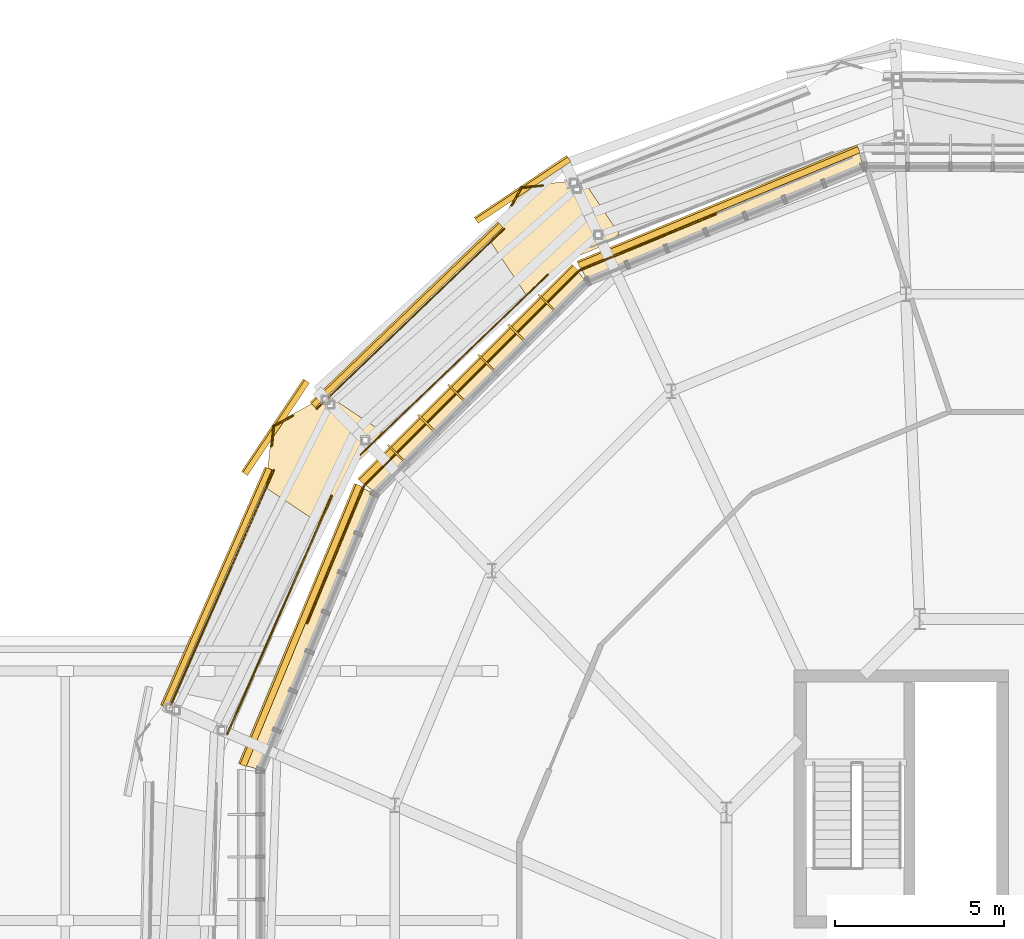
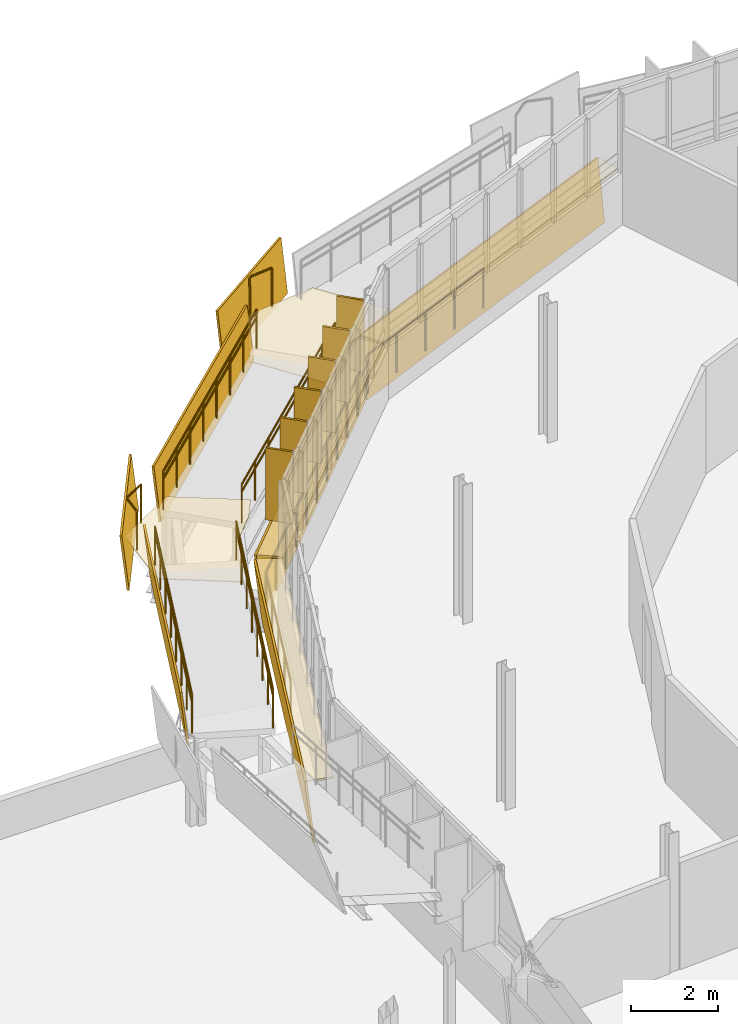
# One storey, part 57 of 61: 21 railings, 12 coverings, 6 shading devices.
"""IFC4 building model written with IfcOpenShell, lengths in metres."""

from ifc_helpers import new_model, si_unit, derived_unit, direction, frame, origin, origin_2d, place, context, subcontext, project, spatial, polyline, rectangle, circle, outline, extrude, material, layer, layer_set, type_object, element, save


model = new_model("IFC4")

# Units and contexts
model_context = context("Model", 3, precision=1e-05, world=origin(), true_north=direction((0.0, 1.0)))
body_context = subcontext(model_context, "Body", "Model", "MODEL_VIEW")
ifc_project = project(units=[si_unit("LENGTHUNIT", "METRE"), si_unit("AREAUNIT", "SQUARE_METRE"), si_unit("VOLUMEUNIT", "CUBIC_METRE"), si_unit("PLANEANGLEUNIT", "RADIAN"), si_unit("MASSUNIT", "GRAM", prefix="KILO"), derived_unit("THERMALTRANSMITTANCEUNIT", [(si_unit("MASSUNIT", "GRAM", prefix="KILO"), 1), (si_unit("TIMEUNIT", "SECOND"), -3), (si_unit("THERMODYNAMICTEMPERATUREUNIT", "KELVIN"), -1)])], contexts=[model_context])

# Site, building, storey
site_placement = place(None, origin())
site = spatial("IfcSite", under=ifc_project, at=site_placement, CompositionType="ELEMENT")
building_placement = place(site_placement, origin())
building = spatial("IfcBuilding", under=site, at=building_placement, Name="Makaiwela Harbour Ferry Terminal", CompositionType="ELEMENT")
storey_placement = place(building_placement, frame((0.0, 0.0, 13.800048828125)))
storey = spatial("IfcBuildingStorey", under=building, at=storey_placement, Name="L03", CompositionType="ELEMENT", Elevation=13.800048828125)

# Coverings
ifc_material_1 = material(Name="White glazed marine ceramic rainscreen tile", Category="masonry")
ifc_layer_1 = layer(ifc_material_1, 0.054931640625)
ifc_layer_set_1 = layer_set([ifc_layer_1], Name="White glazed marine ceramic rainscreen tile")
covering_type_1 = type_object("IfcCoveringType", Name="ENV-CLD-CERAMIC", PredefinedType="CLADDING", material=ifc_layer_set_1)
covering_1_placement = place(storey_placement, frame((31.97802734375, 91.22607421875, -0.219970703125), z_axis=(0.380391585384, -0.918362017885, 0.109148732812), x_axis=(-0.923881838778, -0.382677864496, 5.63655e-07)))
element("IfcCovering", 1, at=covering_1_placement, inside=storey, type_object=covering_type_1, Name="Ceramic Spandrel Facet CLD-0073", PredefinedType="CLADDING", context=body_context, shape_type="SweptSolid", body=[
    extrude(outline(polyline([(0.0, 0.0), (8.991794226151736, -1.1102230246251565e-16), (8.991688901672456, -1.7504433134715667), (0.0001202326102644768, -1.7504535108071002), (0.0, 0.0)])), origin(), (0.0, 0.0, -1.0), 0.054931640625),
])
covering_2_placement = place(storey_placement, frame((0.0, 0.0, 1.47998046875)))
element("IfcCovering", 2, at=covering_2_placement, inside=storey, type_object=covering_type_1, Name="Ceramic Ring Sill Cap CLD-0074", PredefinedType="CLADDING", context=body_context, shape_type="SweptSolid", body=[
    extrude(outline(polyline([(31.90478515625, 91.402587890625), (23.59765625, 87.961669921875), (23.91064453125, 87.408935546875), (32.07421875, 90.790283203125), (31.90478515625, 91.402587890625)])), origin(), (0.0, 0.0, 1.0), 0.054931640625),
])
covering_3_placement = place(storey_placement, frame((23.606201171875, 87.741943359375, -0.219970703125), z_axis=(0.702880103267, -0.702880103267, 0.109174726297), x_axis=(-0.707106781187, -0.707106781187, 0.0)))
element("IfcCovering", 3, at=covering_3_placement, inside=storey, type_object=covering_type_1, Name="Ceramic Spandrel Facet CLD-0075", PredefinedType="CLADDING", context=body_context, shape_type="SweptSolid", body=[
    extrude(outline(polyline([(0.0, 0.0), (8.991788038301396, 0.0), (8.991960671792896, -1.750453438937479), (-0.00017263349150062335, -1.7504534389374793), (0.0, 0.0)])), origin(), (0.0, 0.0, -1.0), 0.054931640625),
])
covering_4_placement = place(storey_placement, frame((0.0, 0.0, 1.47998046875)))
element("IfcCovering", 4, at=covering_4_placement, inside=storey, type_object=covering_type_1, Name="Ceramic Ring Sill Cap CLD-0076", PredefinedType="CLADDING", context=body_context, shape_type="SweptSolid", body=[
    extrude(outline(polyline([(23.47119140625, 87.877197265625), (17.11279296875, 81.518798828125), (17.61376953125, 81.128173828125), (23.86181640625, 87.376220703125), (23.47119140625, 87.877197265625)])), origin(), (0.0, 0.0, 1.0), 0.054931640625),
])
covering_5_placement = place(storey_placement, frame((17.204833984375, 81.3193359375, -0.219970703125), z_axis=(0.918362017885, -0.380391585384, 0.109148732812), x_axis=(-0.382677864496, -0.923881838778, -5.63655e-07)))
element("IfcCovering", 5, at=covering_5_placement, inside=storey, type_object=covering_type_1, Name="Ceramic Spandrel Facet CLD-0077", PredefinedType="CLADDING", context=body_context, shape_type="SweptSolid", body=[
    extrude(outline(polyline([(0.0, 0.0), (8.991794226151736, 1.1102230246251565e-16), (8.99167399354147, -1.7504535108071), (0.00010532447928103433, -1.7504433134715665), (0.0, 0.0)])), origin(), (0.0, 0.0, -1.0), 0.054931640625),
])
covering_6_placement = place(storey_placement, frame((0.0, 0.0, 1.47998046875)))
element("IfcCovering", 6, at=covering_6_placement, inside=storey, type_object=covering_type_1, Name="Ceramic Ring Sill Cap CLD-0078", PredefinedType="CLADDING", context=body_context, shape_type="SweptSolid", body=[
    extrude(outline(polyline([(17.0283203125, 81.392333984375), (13.58740234375, 73.085205078125), (14.19970703125, 72.915771484375), (17.5810546875, 81.079345703125), (17.0283203125, 81.392333984375)])), origin(), (0.0, 0.0, 1.0), 0.054931640625),
])
covering_7_placement = place(storey_placement, frame((23.3955078125, 90.957763671875, 0.9599609375), z_axis=(0.552193027117, -0.826432842635, 0.109961890748), x_axis=(-0.831474863772, -0.55556237355, -3.361495e-06)))
element("IfcCovering", 7, at=covering_7_placement, inside=storey, type_object=covering_type_1, Name="Coiled Ramp Ceramic Fascia CLD-R0053", PredefinedType="CLADDING", context=body_context, shape_type="SweptSolid", body=[
    extrude(outline(polyline([(0.0, 0.0), (3.300102397287792, 2.7755575615628914e-17), (3.300126006690987, -1.52930462753456), (0.00015924474830051368, -1.529282306076568), (0.0, 0.0)])), origin(), (0.0, 0.0, -1.0), 0.054931640625),
])
covering_8_placement = place(storey_placement, frame((21.37939453125, 89.007080078125, 0.9599609375), z_axis=(0.695004337683, -0.71055486006, 0.109912517243), x_axis=(-0.718823305912, -0.69010321769, 0.083967873682)))
element("IfcCovering", 8, at=covering_8_placement, inside=storey, type_object=covering_type_1, Name="Coiled Ramp Ceramic Fascia CLD-R0054", PredefinedType="CLADDING", context=body_context, shape_type="SweptSolid", body=[
    extrude(outline(polyline([(0.0, 0.0), (7.739781780151714, 1.1102230246251565e-16), (7.867389543645176, -1.5239620388324528), (0.1274322695222923, -1.5239580868790643), (0.0, 0.0)])), origin(), (0.0, 0.0, -1.0), 0.054931640625),
])
covering_9_placement = place(storey_placement, frame((15.642578125, 84.392333984375, 1.60986328125), z_axis=(0.826440899438, -0.552198410386, 0.10987427043), x_axis=(-0.555562373057, -0.831474864101, 3.358849e-06)))
element("IfcCovering", 9, at=covering_9_placement, inside=storey, type_object=covering_type_1, Name="Coiled Ramp Ceramic Fascia CLD-R0055", PredefinedType="CLADDING", context=body_context, shape_type="SweptSolid", body=[
    extrude(outline(polyline([(0.0, 0.0), (3.3001023972877617, 0.0), (3.3001461452112584, -1.529267405514949), (0.00017938326848120754, -1.5292897091866589), (0.0, 0.0)])), origin(), (0.0, 0.0, -1.0), 0.054931640625),
])
covering_10_placement = place(storey_placement, frame((14.5263671875, 81.81884765625, 1.60986328125), z_axis=(0.914008928979, -0.39051501162, 0.109934996457), x_axis=(-0.400034406423, -0.912642759988, 0.083998013785)))
element("IfcCovering", 10, at=covering_10_placement, inside=storey, type_object=covering_type_1, Name="Coiled Ramp Ceramic Fascia CLD-R0056", PredefinedType="CLADDING", context=body_context, shape_type="SweptSolid", body=[
    extrude(outline(polyline([(0.0, 0.0), (7.7401681408341245, 0.0), (7.867656242727377, -1.523954275924588), (0.1275857665432575, -1.523970762470793), (0.0, 0.0)])), origin(), (0.0, 0.0, -1.0), 0.054931640625),
])

# Shading devices
ifc_material_2 = material(Name="Marine anodised aluminium 6063-T6", Category="aluminium")
ifc_layer_2 = layer(ifc_material_2, 0.054931640625)
ifc_layer_set_2 = layer_set([ifc_layer_2], Name="Marine anodised aluminium 6063-T6")
shading_device_type = type_object("IfcShadingDeviceType", Name="ENV-FIN-650", PredefinedType="USERDEFINED", material=ifc_layer_set_2)
for number, where, z_axis, x_axis, name in (
    (11, (22.659423828125, 86.79345703125, 1.603515625), (0.0, 0.0, 1.0), (-0.707106781187, 0.707106781187, 0.0), "Vertical Solar Fin SFN-0078"),
    (12, (21.766845703125, 85.90087890625, 1.603515625), (0.0, 0.0, 1.0), (-0.707106781187, 0.707106781187, 0.0), "Vertical Solar Fin SFN-0079"),
    (13, (20.874267578125, 85.00830078125, 1.603515625), (0.0, 0.0, 1.0), (-0.707106781187, 0.707106781187, 0.0), "Vertical Solar Fin SFN-0080"),
    (14, (19.981689453125, 84.11572265625, 1.603515625), (0.0, 0.0, 1.0), (-0.707106781187, 0.707106781187, 0.0), "Vertical Solar Fin SFN-0081"),
    (15, (19.089111328125, 83.22314453125, 1.603515625), (0.0, 0.0, 1.0), (-0.707106781187, 0.707106781187, 0.0), "Vertical Solar Fin SFN-0082"),
    (16, (18.196533203125, 82.33056640625, 1.603515625), (0.0, 0.0, 1.0), (-0.707106781187, 0.707106781187, 0.0), "Vertical Solar Fin SFN-0083"),
):
    element("IfcShadingDevice", number, at=place(storey_placement, frame(where, z_axis=z_axis, x_axis=x_axis)), inside=storey, type_object=shading_device_type, Name=name, ObjectType="SOLAR FIN", PredefinedType="USERDEFINED", context=body_context, shape_type="SweptSolid", body=[
        extrude(rectangle(XDim=0.64990234375, YDim=0.054931640625, at=origin_2d()), origin(), (0.0, 0.0, 1.0), 2.02001953125),
    ])

# Coverings
ifc_material_3 = material(Name="Honed coral-aggregate epoxy terrazzo flooring", Category="concrete")
ifc_layer_3 = layer(ifc_material_3, 0.02490234375)
ifc_layer_set_3 = layer_set([ifc_layer_3], Name="Honed coral-aggregate epoxy terrazzo flooring")
covering_type_2 = type_object("IfcCoveringType", Name="INT-COV-FLR", PredefinedType="FLOORING", material=ifc_layer_set_3)
covering_11_placement = place(storey_placement, frame((0.0, 0.0, 1.300048828125)))
element("IfcCovering", 17, at=covering_11_placement, inside=storey, type_object=covering_type_2, Name="Ramp Landing Terrazzo RMP-COIL-L03-L2", PredefinedType="FLOORING", context=body_context, shape_type="SweptSolid", body=[
    extrude(outline(polyline([(22.657958984375, 87.353515625), (23.353759765625, 88.04931640625), (23.35400390625, 88.049560546875), (23.35400390625, 88.0498046875), (23.354248046875, 88.0498046875), (23.3544921875, 88.0498046875), (24.263427734375, 88.426513671875), (24.832763671875, 88.806640625), (23.7548828125, 90.419677734375), (21.899658203125, 90.226318359375), (21.010986328125, 88.586181640625), (22.0888671875, 86.973388671875), (22.657958984375, 87.353515625)])), origin(), (0.0, 0.0, 1.0), 0.02490234375),
])
covering_12_placement = place(storey_placement, frame((0.0, 0.0, 1.949951171875)))
element("IfcCovering", 18, at=covering_12_placement, inside=storey, type_object=covering_type_2, Name="Ramp Landing Terrazzo RMP-COIL-L03-L3", PredefinedType="FLOORING", context=body_context, shape_type="SweptSolid", body=[
    extrude(outline(polyline([(16.34033203125, 80.7802734375), (16.717041015625, 81.689453125), (16.717041015625, 81.689697265625), (16.71728515625, 81.689697265625), (16.71728515625, 81.68994140625), (16.717529296875, 81.690185546875), (17.413330078125, 82.385986328125), (17.793701171875, 82.955078125), (16.180419921875, 84.032958984375), (14.540283203125, 83.144287109375), (14.34716796875, 81.2890625), (15.960205078125, 80.211181640625), (16.34033203125, 80.7802734375)])), origin(), (0.0, 0.0, 1.0), 0.02490234375),
])

# Railings
ifc_material_4 = material(Name="Marine grade 316L brushed stainless steel", Category="steel")
railing_type_1 = type_object("IfcRailingType", Name="INT-RL-GRD110", PredefinedType="GUARDRAIL", material=ifc_material_4)
for number, where, name in (
    (19, (22.720947265625, 87.60986328125, 1.300048828125), "Ramp guardrail RL-0201"),
    (20, (21.4189453125, 88.966064453125, 1.300048828125), "Ramp guardrail RL-0203"),
):
    element("IfcRailing", number, at=place(storey_placement, frame(where)), inside=storey, type_object=railing_type_1, Name=name, PredefinedType="GUARDRAIL", context=body_context, shape_type="SweptSolid", body=[
        extrude(circle(Radius=0.02392578125, at=origin_2d()), frame((0.0, 0.0, 1.09619140625), z_axis=(-0.718830932232, -0.690095358961, 0.083967174584), x_axis=(0.69254105306, -0.721378465042, 0.0)), (0.0, 0.0, 1.0), 7.739990234375),
        extrude(circle(Radius=0.02099609375, at=origin_2d()), origin(), (0.0, 0.0, 1.0), 1.072021484375),
        extrude(circle(Radius=0.02099609375, at=origin_2d()), frame((-0.794921875, -0.762939453125, 0.0927734375)), (0.0, 0.0, 1.0), 1.072021484375),
        extrude(circle(Radius=0.02099609375, at=origin_2d()), frame((-1.589599609375, -1.526123046875, 0.185791015625)), (0.0, 0.0, 1.0), 1.072021484375),
        extrude(circle(Radius=0.02099609375, at=origin_2d()), frame((-2.384521484375, -2.2890625, 0.278564453125)), (0.0, 0.0, 1.0), 1.072021484375),
        extrude(circle(Radius=0.02099609375, at=origin_2d()), frame((-3.17919921875, -3.05224609375, 0.371337890625)), (0.0, 0.0, 1.0), 1.072021484375),
        extrude(circle(Radius=0.02099609375, at=origin_2d()), frame((-3.97412109375, -3.815185546875, 0.464111328125)), (0.0, 0.0, 1.0), 1.072021484375),
        extrude(circle(Radius=0.02099609375, at=origin_2d()), frame((-4.768798828125, -4.578369140625, 0.55712890625)), (0.0, 0.0, 1.0), 1.072021484375),
        extrude(circle(Radius=0.02099609375, at=origin_2d()), frame((-5.563720703125, -5.34130859375, 0.64990234375)), (0.0, 0.0, 1.0), 1.072021484375),
    ])
railing_1_placement = place(storey_placement, frame((16.30029296875, 81.041259765625, 1.949951171875)))
element("IfcRailing", 21, at=railing_1_placement, inside=storey, type_object=railing_type_1, Name="Ramp guardrail RL-0205", PredefinedType="GUARDRAIL", context=body_context, shape_type="SweptSolid", body=[
    extrude(circle(Radius=0.02392578125, at=origin_2d()), frame((0.0, 0.0, 1.09619140625), z_axis=(-0.40002214673, -0.912651063988, 0.083966168948), x_axis=(0.915885416376, -0.401439788847, 0.0)), (0.0, 0.0, 1.0), 7.739990234375),
    extrude(circle(Radius=0.02099609375, at=origin_2d()), origin(), (0.0, 0.0, 1.0), 1.072021484375),
    extrude(circle(Radius=0.02099609375, at=origin_2d()), frame((-0.4423828125, -1.009033203125, 0.0927734375)), (0.0, 0.0, 1.0), 1.072021484375),
    extrude(circle(Radius=0.02099609375, at=origin_2d()), frame((-0.884521484375, -2.018310546875, 0.185791015625)), (0.0, 0.0, 1.0), 1.072021484375),
    extrude(circle(Radius=0.02099609375, at=origin_2d()), frame((-1.326904296875, -3.02734375, 0.278564453125)), (0.0, 0.0, 1.0), 1.072021484375),
    extrude(circle(Radius=0.02099609375, at=origin_2d()), frame((-1.769287109375, -4.03662109375, 0.371337890625)), (0.0, 0.0, 1.0), 1.072021484375),
    extrude(circle(Radius=0.02099609375, at=origin_2d()), frame((-2.211669921875, -5.045654296875, 0.464111328125)), (0.0, 0.0, 1.0), 1.072021484375),
    extrude(circle(Radius=0.02099609375, at=origin_2d()), frame((-2.65380859375, -6.054931640625, 0.55712890625)), (0.0, 0.0, 1.0), 1.072021484375),
    extrude(circle(Radius=0.02099609375, at=origin_2d()), frame((-3.09619140625, -7.06396484375, 0.64990234375)), (0.0, 0.0, 1.0), 1.072021484375),
])
railing_2_placement = place(storey_placement, frame((14.57861328125, 81.7958984375, 1.949951171875)))
element("IfcRailing", 22, at=railing_2_placement, inside=storey, type_object=railing_type_1, Name="Ramp guardrail RL-0207", PredefinedType="GUARDRAIL", context=body_context, shape_type="SweptSolid", body=[
    extrude(circle(Radius=0.02392578125, at=origin_2d()), frame((0.0, 0.0, 1.09619140625), z_axis=(-0.400033662589, -0.912645794014, 0.08396858617), x_axis=(0.915880314941, -0.401451427577, 0.0)), (0.0, 0.0, 1.0), 7.73974609375),
    extrude(circle(Radius=0.02099609375, at=origin_2d()), origin(), (0.0, 0.0, 1.0), 1.072021484375),
    extrude(circle(Radius=0.02099609375, at=origin_2d()), frame((-0.4423828125, -1.009033203125, 0.0927734375)), (0.0, 0.0, 1.0), 1.072021484375),
    extrude(circle(Radius=0.02099609375, at=origin_2d()), frame((-0.884521484375, -2.018310546875, 0.185791015625)), (0.0, 0.0, 1.0), 1.072021484375),
    extrude(circle(Radius=0.02099609375, at=origin_2d()), frame((-1.326904296875, -3.02734375, 0.278564453125)), (0.0, 0.0, 1.0), 1.072021484375),
    extrude(circle(Radius=0.02099609375, at=origin_2d()), frame((-1.769287109375, -4.036376953125, 0.371337890625)), (0.0, 0.0, 1.0), 1.072021484375),
    extrude(circle(Radius=0.02099609375, at=origin_2d()), frame((-2.211669921875, -5.04541015625, 0.464111328125)), (0.0, 0.0, 1.0), 1.072021484375),
    extrude(circle(Radius=0.02099609375, at=origin_2d()), frame((-2.65380859375, -6.0546875, 0.55712890625)), (0.0, 0.0, 1.0), 1.072021484375),
    extrude(circle(Radius=0.02099609375, at=origin_2d()), frame((-3.09619140625, -7.063720703125, 0.64990234375)), (0.0, 0.0, 1.0), 1.072021484375),
])
railing_3_placement = place(storey_placement, frame((15.576416015625, 77.275390625, 0.0)))
element("IfcRailing", 23, at=railing_3_placement, inside=storey, type_object=railing_type_1, Name="Deck edge guardrail RL-0633", PredefinedType="GUARDRAIL", context=body_context, shape_type="SweptSolid", body=[
    extrude(circle(Radius=0.02392578125, at=origin_2d()), frame((0.0, 0.0, 1.09619140625), z_axis=(0.382695577314, 0.923874501815, 0.0), x_axis=(-0.923874501815, 0.382695577314, 0.0)), (0.0, 0.0, 1.0), 2.195068359375),
    extrude(circle(Radius=0.02099609375, at=origin_2d()), origin(), (0.0, 0.0, 1.0), 1.072021484375),
    extrude(circle(Radius=0.02099609375, at=origin_2d()), frame((0.419921875, 1.01416015625, 0.0)), (0.0, 0.0, 1.0), 1.072021484375),
    extrude(circle(Radius=0.02099609375, at=origin_2d()), frame((0.840087890625, 2.028076171875, 0.0)), (0.0, 0.0, 1.0), 1.072021484375),
])
railing_4_placement = place(storey_placement, frame((16.41650390625, 79.303466796875, 0.0)))
element("IfcRailing", 24, at=railing_4_placement, inside=storey, type_object=railing_type_1, Name="Deck edge guardrail RL-0634", PredefinedType="GUARDRAIL", context=body_context, shape_type="SweptSolid", body=[
    extrude(circle(Radius=0.02392578125, at=origin_2d()), frame((0.0, 0.0, 1.09619140625), z_axis=(0.382600643166, 0.923913820575, 0.0), x_axis=(-0.923913820575, 0.382600643166, 0.0)), (0.0, 0.0, 1.0), 2.195068359375),
    extrude(circle(Radius=0.02099609375, at=origin_2d()), origin(), (0.0, 0.0, 1.0), 1.072021484375),
    extrude(circle(Radius=0.02099609375, at=origin_2d()), frame((0.419921875, 1.01416015625, 0.0)), (0.0, 0.0, 1.0), 1.072021484375),
    extrude(circle(Radius=0.02099609375, at=origin_2d()), frame((0.83984375, 2.028076171875, 0.0)), (0.0, 0.0, 1.0), 1.072021484375),
])
railing_5_placement = place(storey_placement, frame((17.25634765625, 81.33154296875, 0.0)))
element("IfcRailing", 25, at=railing_5_placement, inside=storey, type_object=railing_type_1, Name="Deck edge guardrail RL-0635", PredefinedType="GUARDRAIL", context=body_context, shape_type="SweptSolid", body=[
    extrude(circle(Radius=0.02392578125, at=origin_2d()), frame((0.0, 0.0, 1.09619140625), z_axis=(0.7071741921, 0.707039363846, 0.0), x_axis=(-0.707039363846, 0.7071741921, 0.0)), (0.0, 0.0, 1.0), 1.810791015625),
    extrude(circle(Radius=0.02099609375, at=origin_2d()), origin(), (0.0, 0.0, 1.0), 1.072021484375),
    extrude(circle(Radius=0.02099609375, at=origin_2d()), frame((0.64013671875, 0.64013671875, 0.0)), (0.0, 0.0, 1.0), 1.072021484375),
    extrude(circle(Radius=0.02099609375, at=origin_2d()), frame((1.280517578125, 1.2802734375, 0.0)), (0.0, 0.0, 1.0), 1.072021484375),
])
railing_6_placement = place(storey_placement, frame((18.536865234375, 82.61181640625, 0.0)))
element("IfcRailing", 26, at=railing_6_placement, inside=storey, type_object=railing_type_1, Name="Deck edge guardrail RL-0636", PredefinedType="GUARDRAIL", context=body_context, shape_type="SweptSolid", body=[
    extrude(circle(Radius=0.02392578125, at=origin_2d()), frame((0.0, 0.0, 1.09619140625), z_axis=(0.707106781187, 0.707106781187, 0.0), x_axis=(-0.707106781187, 0.707106781187, 0.0)), (0.0, 0.0, 1.0), 1.81103515625),
    extrude(circle(Radius=0.02099609375, at=origin_2d()), origin(), (0.0, 0.0, 1.0), 1.072021484375),
    extrude(circle(Radius=0.02099609375, at=origin_2d()), frame((0.64013671875, 0.64013671875, 0.0)), (0.0, 0.0, 1.0), 1.072021484375),
    extrude(circle(Radius=0.02099609375, at=origin_2d()), frame((1.280517578125, 1.280517578125, 0.0)), (0.0, 0.0, 1.0), 1.072021484375),
])
railing_7_placement = place(storey_placement, frame((19.8173828125, 83.892333984375, 0.0)))
element("IfcRailing", 27, at=railing_7_placement, inside=storey, type_object=railing_type_1, Name="Deck edge guardrail RL-0637", PredefinedType="GUARDRAIL", context=body_context, shape_type="SweptSolid", body=[
    extrude(circle(Radius=0.02392578125, at=origin_2d()), frame((0.0, 0.0, 1.09619140625), z_axis=(0.707106781187, 0.707106781187, 0.0), x_axis=(-0.707106781187, 0.707106781187, 0.0)), (0.0, 0.0, 1.0), 1.810546875),
    extrude(circle(Radius=0.02099609375, at=origin_2d()), origin(), (0.0, 0.0, 1.0), 1.072021484375),
    extrude(circle(Radius=0.02099609375, at=origin_2d()), frame((0.64013671875, 0.64013671875, 0.0)), (0.0, 0.0, 1.0), 1.072021484375),
    extrude(circle(Radius=0.02099609375, at=origin_2d()), frame((1.2802734375, 1.2802734375, 0.0)), (0.0, 0.0, 1.0), 1.072021484375),
])
railing_8_placement = place(storey_placement, frame((21.09765625, 85.172607421875, 0.0)))
element("IfcRailing", 28, at=railing_8_placement, inside=storey, type_object=railing_type_1, Name="Deck edge guardrail RL-0638", PredefinedType="GUARDRAIL", context=body_context, shape_type="SweptSolid", body=[
    extrude(circle(Radius=0.02392578125, at=origin_2d()), frame((0.0, 0.0, 1.09619140625), z_axis=(0.707106781187, 0.707106781187, 0.0), x_axis=(-0.707106781187, 0.707106781187, 0.0)), (0.0, 0.0, 1.0), 1.81103515625),
    extrude(circle(Radius=0.02099609375, at=origin_2d()), origin(), (0.0, 0.0, 1.0), 1.072021484375),
    extrude(circle(Radius=0.02099609375, at=origin_2d()), frame((0.64013671875, 0.64013671875, 0.0)), (0.0, 0.0, 1.0), 1.072021484375),
    extrude(circle(Radius=0.02099609375, at=origin_2d()), frame((1.280517578125, 1.280517578125, 0.0)), (0.0, 0.0, 1.0), 1.072021484375),
])
railing_9_placement = place(storey_placement, frame((22.378173828125, 86.453125, 0.0)))
element("IfcRailing", 29, at=railing_9_placement, inside=storey, type_object=railing_type_1, Name="Deck edge guardrail RL-0639", PredefinedType="GUARDRAIL", context=body_context, shape_type="SweptSolid", body=[
    extrude(circle(Radius=0.02392578125, at=origin_2d()), frame((0.0, 0.0, 1.09619140625), z_axis=(0.707039363846, 0.7071741921, 0.0), x_axis=(-0.7071741921, 0.707039363846, 0.0)), (0.0, 0.0, 1.0), 1.810791015625),
    extrude(circle(Radius=0.02099609375, at=origin_2d()), origin(), (0.0, 0.0, 1.0), 1.072021484375),
    extrude(circle(Radius=0.02099609375, at=origin_2d()), frame((0.64013671875, 0.64013671875, 0.0)), (0.0, 0.0, 1.0), 1.072021484375),
    extrude(circle(Radius=0.02099609375, at=origin_2d()), frame((1.2802734375, 1.280517578125, 0.0)), (0.0, 0.0, 1.0), 1.072021484375),
])
railing_10_placement = place(storey_placement, frame((23.658447265625, 87.733642578125, 0.0)))
element("IfcRailing", 30, at=railing_10_placement, inside=storey, type_object=railing_type_1, Name="Deck edge guardrail RL-0640", PredefinedType="GUARDRAIL", context=body_context, shape_type="SweptSolid", body=[
    extrude(circle(Radius=0.02392578125, at=origin_2d()), frame((0.0, 0.0, 1.09619140625), z_axis=(0.923894323606, 0.382647721552, 0.0), x_axis=(-0.382647721552, 0.923894323606, 0.0)), (0.0, 0.0, 1.0), 2.185791015625),
    extrude(circle(Radius=0.02099609375, at=origin_2d()), origin(), (0.0, 0.0, 1.0), 1.072021484375),
    extrude(circle(Radius=0.02099609375, at=origin_2d()), frame((1.009765625, 0.418212890625, 0.0)), (0.0, 0.0, 1.0), 1.072021484375),
    extrude(circle(Radius=0.02099609375, at=origin_2d()), frame((2.01953125, 0.83642578125, 0.0)), (0.0, 0.0, 1.0), 1.072021484375),
])
railing_11_placement = place(storey_placement, frame((25.677978515625, 88.570068359375, 0.0)))
element("IfcRailing", 31, at=railing_11_placement, inside=storey, type_object=railing_type_1, Name="Deck edge guardrail RL-0641", PredefinedType="GUARDRAIL", context=body_context, shape_type="SweptSolid", body=[
    extrude(circle(Radius=0.02392578125, at=origin_2d()), frame((0.0, 0.0, 1.09619140625), z_axis=(0.92391067455, 0.38260824018, 0.0), x_axis=(-0.38260824018, 0.92391067455, 0.0)), (0.0, 0.0, 1.0), 2.18603515625),
    extrude(circle(Radius=0.02099609375, at=origin_2d()), origin(), (0.0, 0.0, 1.0), 1.072021484375),
    extrude(circle(Radius=0.02099609375, at=origin_2d()), frame((1.009765625, 0.418212890625, 0.0)), (0.0, 0.0, 1.0), 1.072021484375),
    extrude(circle(Radius=0.02099609375, at=origin_2d()), frame((2.019775390625, 0.83642578125, 0.0)), (0.0, 0.0, 1.0), 1.072021484375),
])
railing_12_placement = place(storey_placement, frame((21.64599609375, 89.663818359375, 1.300048828125)))
element("IfcRailing", 32, at=railing_12_placement, inside=storey, type_object=railing_type_1, Name="Deck edge guardrail RL-0749", PredefinedType="GUARDRAIL", context=body_context, shape_type="SweptSolid", body=[
    extrude(circle(Radius=0.02392578125, at=origin_2d()), frame((0.0, 0.0, 1.09619140625), z_axis=(0.476509072794, 0.879169553354, 0.0), x_axis=(-0.879169553354, 0.476509072794, 0.0)), (0.0, 0.0, 1.0), 0.591796875),
    extrude(circle(Radius=0.02099609375, at=origin_2d()), origin(), (0.0, 0.0, 1.0), 1.072021484375),
    extrude(circle(Radius=0.02099609375, at=origin_2d()), frame((0.281982421875, 0.520263671875, 0.0)), (0.0, 0.0, 1.0), 1.072021484375),
])
railing_13_placement = place(storey_placement, frame((21.927978515625, 90.18408203125, 1.300048828125)))
element("IfcRailing", 33, at=railing_13_placement, inside=storey, type_object=railing_type_1, Name="Deck edge guardrail RL-0750", PredefinedType="GUARDRAIL", context=body_context, shape_type="SweptSolid", body=[
    extrude(circle(Radius=0.02392578125, at=origin_2d()), frame((0.0, 0.0, 1.09619140625), z_axis=(0.994633912521, 0.103457141188, 0.0), x_axis=(-0.103457141188, 0.994633912521, 0.0)), (0.0, 0.0, 1.0), 0.641845703125),
    extrude(circle(Radius=0.02099609375, at=origin_2d()), origin(), (0.0, 0.0, 1.0), 1.072021484375),
    extrude(circle(Radius=0.02099609375, at=origin_2d()), frame((0.638427734375, 0.06640625, 0.0)), (0.0, 0.0, 1.0), 1.072021484375),
])
railing_14_placement = place(storey_placement, frame((14.521484375, 82.527587890625, 1.949951171875)))
element("IfcRailing", 34, at=railing_14_placement, inside=storey, type_object=railing_type_1, Name="Deck edge guardrail RL-0751", PredefinedType="GUARDRAIL", context=body_context, shape_type="SweptSolid", body=[
    extrude(circle(Radius=0.02392578125, at=origin_2d()), frame((0.0, 0.0, 1.09619140625), z_axis=(0.103589072769, 0.994620180774, 0.0), x_axis=(-0.994620180774, 0.103589072769, 0.0)), (0.0, 0.0, 1.0), 0.591552734375),
    extrude(circle(Radius=0.02099609375, at=origin_2d()), origin(), (0.0, 0.0, 1.0), 1.072021484375),
    extrude(circle(Radius=0.02099609375, at=origin_2d()), frame((0.061279296875, 0.58837890625, 0.0)), (0.0, 0.0, 1.0), 1.072021484375),
])
railing_15_placement = place(storey_placement, frame((14.582763671875, 83.115966796875, 1.949951171875)))
element("IfcRailing", 35, at=railing_15_placement, inside=storey, type_object=railing_type_1, Name="Deck edge guardrail RL-0752", PredefinedType="GUARDRAIL", context=body_context, shape_type="SweptSolid", body=[
    extrude(circle(Radius=0.02392578125, at=origin_2d()), frame((0.0, 0.0, 1.09619140625), z_axis=(0.879153007432, 0.476539599113, 0.0), x_axis=(-0.476539599113, 0.879153007432, 0.0)), (0.0, 0.0, 1.0), 0.64404296875),
    extrude(circle(Radius=0.02099609375, at=origin_2d()), origin(), (0.0, 0.0, 1.0), 1.072021484375),
    extrude(circle(Radius=0.02099609375, at=origin_2d()), frame((0.566162109375, 0.306884765625, 0.0)), (0.0, 0.0, 1.0), 1.072021484375),
])
railing_type_2 = type_object("IfcRailingType", Name="INT-RL-HND090", PredefinedType="HANDRAIL", material=ifc_material_4)
for number, where, name in (
    (36, (22.720947265625, 87.60986328125, 1.300048828125), "Ramp handrail RL-0202"),
    (37, (21.4189453125, 88.966064453125, 1.300048828125), "Ramp handrail RL-0204"),
):
    element("IfcRailing", number, at=place(storey_placement, frame(where)), inside=storey, type_object=railing_type_2, Name=name, PredefinedType="HANDRAIL", context=body_context, shape_type="SweptSolid", body=[
        extrude(circle(Radius=0.02392578125, at=origin_2d()), frame((0.0, 0.0, 0.89111328125), z_axis=(-0.718830932232, -0.690095358961, 0.083967174584), x_axis=(0.69254105306, -0.721378465042, 0.0)), (0.0, 0.0, 1.0), 7.739990234375),
        extrude(circle(Radius=0.02099609375, at=origin_2d()), origin(), (0.0, 0.0, 1.0), 0.866943359375),
        extrude(circle(Radius=0.02099609375, at=origin_2d()), frame((-0.794921875, -0.762939453125, 0.0927734375)), (0.0, 0.0, 1.0), 0.866943359375),
        extrude(circle(Radius=0.02099609375, at=origin_2d()), frame((-1.589599609375, -1.526123046875, 0.185791015625)), (0.0, 0.0, 1.0), 0.866943359375),
        extrude(circle(Radius=0.02099609375, at=origin_2d()), frame((-2.384521484375, -2.2890625, 0.278564453125)), (0.0, 0.0, 1.0), 0.866943359375),
        extrude(circle(Radius=0.02099609375, at=origin_2d()), frame((-3.17919921875, -3.05224609375, 0.371337890625)), (0.0, 0.0, 1.0), 0.866943359375),
        extrude(circle(Radius=0.02099609375, at=origin_2d()), frame((-3.97412109375, -3.815185546875, 0.464111328125)), (0.0, 0.0, 1.0), 0.866943359375),
        extrude(circle(Radius=0.02099609375, at=origin_2d()), frame((-4.768798828125, -4.578369140625, 0.55712890625)), (0.0, 0.0, 1.0), 0.866943359375),
        extrude(circle(Radius=0.02099609375, at=origin_2d()), frame((-5.563720703125, -5.34130859375, 0.64990234375)), (0.0, 0.0, 1.0), 0.866943359375),
    ])
railing_16_placement = place(storey_placement, frame((16.30029296875, 81.041259765625, 1.949951171875)))
element("IfcRailing", 38, at=railing_16_placement, inside=storey, type_object=railing_type_2, Name="Ramp handrail RL-0206", PredefinedType="HANDRAIL", context=body_context, shape_type="SweptSolid", body=[
    extrude(circle(Radius=0.02392578125, at=origin_2d()), frame((0.0, 0.0, 0.89111328125), z_axis=(-0.40002214673, -0.912651063988, 0.083966168948), x_axis=(0.915885416376, -0.401439788847, 0.0)), (0.0, 0.0, 1.0), 7.739990234375),
    extrude(circle(Radius=0.02099609375, at=origin_2d()), origin(), (0.0, 0.0, 1.0), 0.866943359375),
    extrude(circle(Radius=0.02099609375, at=origin_2d()), frame((-0.4423828125, -1.009033203125, 0.0927734375)), (0.0, 0.0, 1.0), 0.866943359375),
    extrude(circle(Radius=0.02099609375, at=origin_2d()), frame((-0.884521484375, -2.018310546875, 0.185791015625)), (0.0, 0.0, 1.0), 0.866943359375),
    extrude(circle(Radius=0.02099609375, at=origin_2d()), frame((-1.326904296875, -3.02734375, 0.278564453125)), (0.0, 0.0, 1.0), 0.866943359375),
    extrude(circle(Radius=0.02099609375, at=origin_2d()), frame((-1.769287109375, -4.03662109375, 0.371337890625)), (0.0, 0.0, 1.0), 0.866943359375),
    extrude(circle(Radius=0.02099609375, at=origin_2d()), frame((-2.211669921875, -5.045654296875, 0.464111328125)), (0.0, 0.0, 1.0), 0.866943359375),
    extrude(circle(Radius=0.02099609375, at=origin_2d()), frame((-2.65380859375, -6.054931640625, 0.55712890625)), (0.0, 0.0, 1.0), 0.866943359375),
    extrude(circle(Radius=0.02099609375, at=origin_2d()), frame((-3.09619140625, -7.06396484375, 0.64990234375)), (0.0, 0.0, 1.0), 0.866943359375),
])
railing_17_placement = place(storey_placement, frame((14.57861328125, 81.7958984375, 1.949951171875)))
element("IfcRailing", 39, at=railing_17_placement, inside=storey, type_object=railing_type_2, Name="Ramp handrail RL-0208", PredefinedType="HANDRAIL", context=body_context, shape_type="SweptSolid", body=[
    extrude(circle(Radius=0.02392578125, at=origin_2d()), frame((0.0, 0.0, 0.89111328125), z_axis=(-0.400033662589, -0.912645794014, 0.08396858617), x_axis=(0.915880314941, -0.401451427577, 0.0)), (0.0, 0.0, 1.0), 7.73974609375),
    extrude(circle(Radius=0.02099609375, at=origin_2d()), origin(), (0.0, 0.0, 1.0), 0.866943359375),
    extrude(circle(Radius=0.02099609375, at=origin_2d()), frame((-0.4423828125, -1.009033203125, 0.0927734375)), (0.0, 0.0, 1.0), 0.866943359375),
    extrude(circle(Radius=0.02099609375, at=origin_2d()), frame((-0.884521484375, -2.018310546875, 0.185791015625)), (0.0, 0.0, 1.0), 0.866943359375),
    extrude(circle(Radius=0.02099609375, at=origin_2d()), frame((-1.326904296875, -3.02734375, 0.278564453125)), (0.0, 0.0, 1.0), 0.866943359375),
    extrude(circle(Radius=0.02099609375, at=origin_2d()), frame((-1.769287109375, -4.036376953125, 0.371337890625)), (0.0, 0.0, 1.0), 0.866943359375),
    extrude(circle(Radius=0.02099609375, at=origin_2d()), frame((-2.211669921875, -5.04541015625, 0.464111328125)), (0.0, 0.0, 1.0), 0.866943359375),
    extrude(circle(Radius=0.02099609375, at=origin_2d()), frame((-2.65380859375, -6.0546875, 0.55712890625)), (0.0, 0.0, 1.0), 0.866943359375),
    extrude(circle(Radius=0.02099609375, at=origin_2d()), frame((-3.09619140625, -7.063720703125, 0.64990234375)), (0.0, 0.0, 1.0), 0.866943359375),
])

save(model, "model.ifc")
